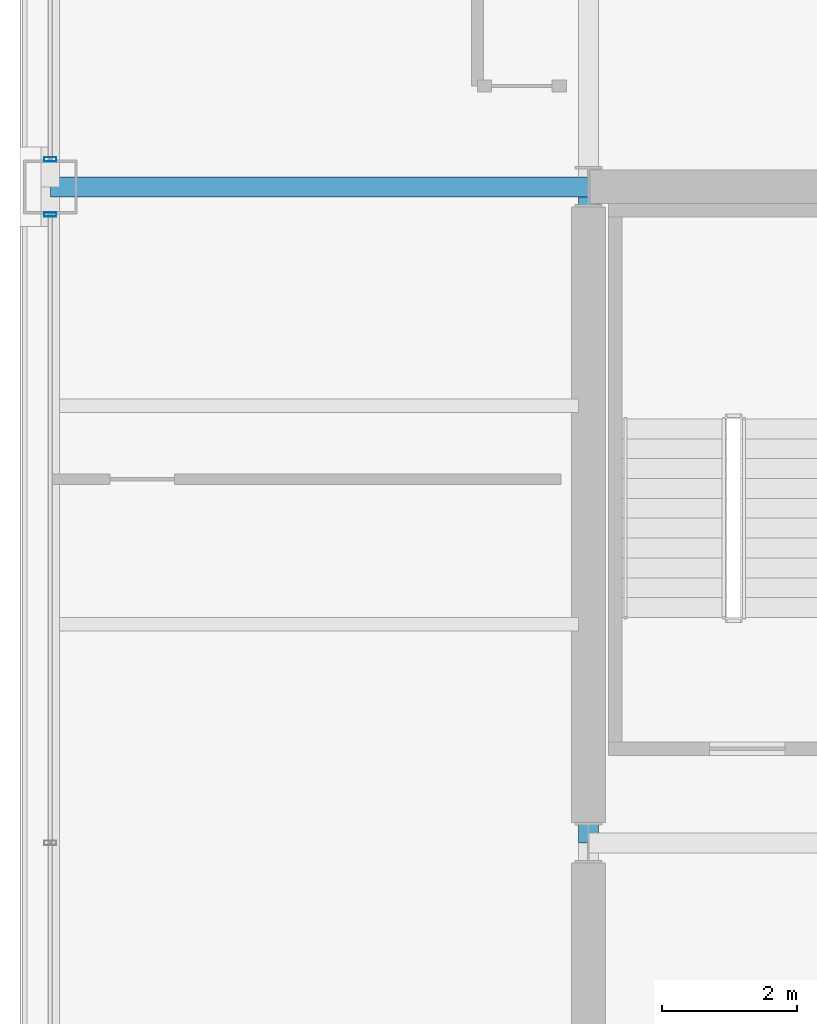
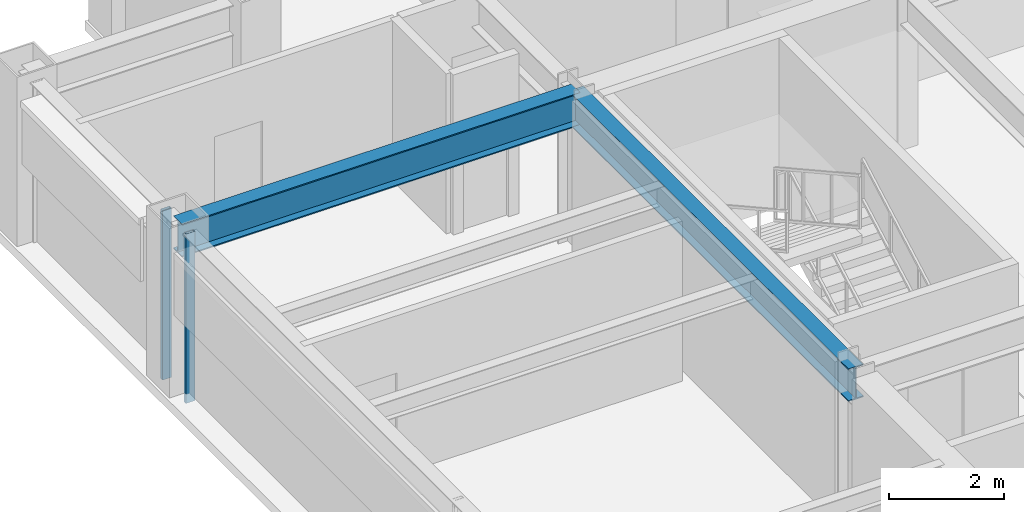
# One storey, part 10 of 29: 2 beams, 2 members, 2 elements without a shape of their own.
"""IFC4 building model written with IfcOpenShell, lengths in metres."""

from ifc_helpers import new_model, si_unit, direction, frame, origin, origin_2d, place, context, subcontext, project, spatial, hollow_rectangle, i_section, extrude, material, layer, layer_set, material_profile, profile_set, type_object, element, aggregate, save


model = new_model("IFC4")

# Units and contexts
model_context = context("Model", 3, precision=1e-05, world=origin(), true_north=direction((0.0, 1.0)))
body_context = subcontext(model_context, "Body", "Model", "MODEL_VIEW")
ifc_project = project(units=[si_unit("LENGTHUNIT", "METRE"), si_unit("AREAUNIT", "SQUARE_METRE"), si_unit("VOLUMEUNIT", "CUBIC_METRE"), si_unit("PLANEANGLEUNIT", "RADIAN"), si_unit("MASSUNIT", "GRAM", prefix="KILO")], contexts=[model_context])

# Site, building, storey
site_placement = place(None, origin())
site = spatial("IfcSite", under=ifc_project, at=site_placement, CompositionType="ELEMENT")
building_placement = place(site_placement, origin())
building = spatial("IfcBuilding", under=site, at=building_placement, Name="Brelmoor Portico Tower", CompositionType="ELEMENT")
storey_placement = place(building_placement, frame((0.0, 0.0, 138.60009765625)))
storey = spatial("IfcBuildingStorey", under=building, at=storey_placement, Name="L36", CompositionType="ELEMENT", Elevation=138.60009765625)

# Beams
ifc_material_1 = material(Name="Steel Q355B", Category="steel")
ifc_material_profile_1 = material_profile(ifc_material_1, i_section(OverallWidth=0.300048828125, OverallDepth=0.699951171875, WebThickness=0.012939453125, FlangeThickness=0.02392578125, at=origin_2d()), Name="HN 700x300x13x24")
ifc_profile_set_1 = profile_set([ifc_material_profile_1], Name="Steel Q355B")
beam_type = type_object("IfcBeamType", Name="BM-PG-700", PredefinedType="BEAM", material=ifc_profile_set_1)
beam_1_placement = place(storey_placement, frame((-14.550048828125, 0.0, 3.0498046875), z_axis=(0.0, 1.0, 0.0), x_axis=(-1.0, 0.0, 0.0)))
element("IfcBeam", 1, at=beam_1_placement, inside=storey, type_object=beam_type, Name="L36 Primary Floor Girder PG-03", PredefinedType="BEAM", context=body_context, shape_type="SweptSolid", body=[
    extrude(i_section(OverallWidth=0.300048828125, OverallDepth=0.699951171875, WebThickness=0.012939453125, FlangeThickness=0.02392578125, at=origin_2d()), origin(), (0.0, 0.0, 1.0), 9.75),
])
beam_2_placement = place(storey_placement, frame((-22.550048828125, 9.75, 3.0498046875), z_axis=(1.0, 0.0, 0.0), x_axis=(0.0, 1.0, 0.0)))
element("IfcBeam", 2, at=beam_2_placement, inside=storey, type_object=beam_type, Name="L36 Primary Floor Girder PG-22", PredefinedType="BEAM", context=body_context, shape_type="SweptSolid", body=[
    extrude(i_section(OverallWidth=0.300048828125, OverallDepth=0.699951171875, WebThickness=0.012939453125, FlangeThickness=0.02392578125, at=origin_2d()), origin(), (0.0, 0.0, 1.0), 8.0),
])

# Curtain wall, member
ifc_material_2 = material(Name="Anodised Aluminium Alloy 6063-T6", Category="aluminium")
ifc_layer = layer(ifc_material_2, 0.179931640625)
ifc_layer_set = layer_set([ifc_layer], Name="Anodised Aluminium Alloy 6063-T6")
curtain_wall_type = type_object("IfcCurtainWallType", Name="CW-TOWER-Z2-XB", PredefinedType="NOTDEFINED", material=ifc_layer_set)
curtain_wall_1_placement = place(storey_placement, origin())
curtain_wall_1 = element("IfcCurtainWall", 3, at=curtain_wall_1_placement, inside=storey, type_object=curtain_wall_type, Name="L36 Curtain Wall CW-L36-03-2", PredefinedType="NOTDEFINED")
ifc_material_profile_2 = material_profile(ifc_material_2, hollow_rectangle(XDim=0.06494140625, YDim=0.179931640625, WallThickness=0.00390625, at=origin_2d()), Name="ALU MULLION 65x180")
ifc_profile_set_2 = profile_set([ifc_material_profile_2], Name="Anodised Aluminium Alloy 6063-T6")
member_type = type_object("IfcMemberType", Name="MB-CW-MULL-180", PredefinedType="MULLION", material=ifc_profile_set_2)
member_1_placement = place(storey_placement, frame((-22.550048828125, 9.340087890625, -0.2001953125), z_axis=(0.0, 0.0, 1.0), x_axis=(0.0, 1.0, 0.0)))
member_1 = element("IfcMember", 4, at=member_1_placement, type_object=member_type, Name="CW-L36-03-2 Mullion 02", PredefinedType="MULLION", context=body_context, shape_type="SweptSolid", body=[
    extrude(hollow_rectangle(XDim=0.06494140625, YDim=0.179931640625, WallThickness=0.00390625, at=origin_2d()), origin(), (0.0, 0.0, 1.0), 3.60009765625),
])
aggregate(curtain_wall_1, [member_1])

curtain_wall_2_placement = place(storey_placement, origin())
curtain_wall_2 = element("IfcCurtainWall", 5, at=curtain_wall_2_placement, inside=storey, type_object=curtain_wall_type, Name="L36 Curtain Wall CW-L36-03-3", PredefinedType="NOTDEFINED")
member_2_placement = place(storey_placement, frame((-22.550048828125, 10.159912109375, -0.2001953125), z_axis=(0.0, 0.0, 1.0), x_axis=(0.0, 1.0, 0.0)))
member_2 = element("IfcMember", 6, at=member_2_placement, type_object=member_type, Name="CW-L36-03-3 Mullion 00", PredefinedType="MULLION", context=body_context, shape_type="SweptSolid", body=[
    extrude(hollow_rectangle(XDim=0.06494140625, YDim=0.179931640625, WallThickness=0.00390625, at=origin_2d()), origin(), (0.0, 0.0, 1.0), 3.60009765625),
])
aggregate(curtain_wall_2, [member_2])

save(model, "model.ifc")
